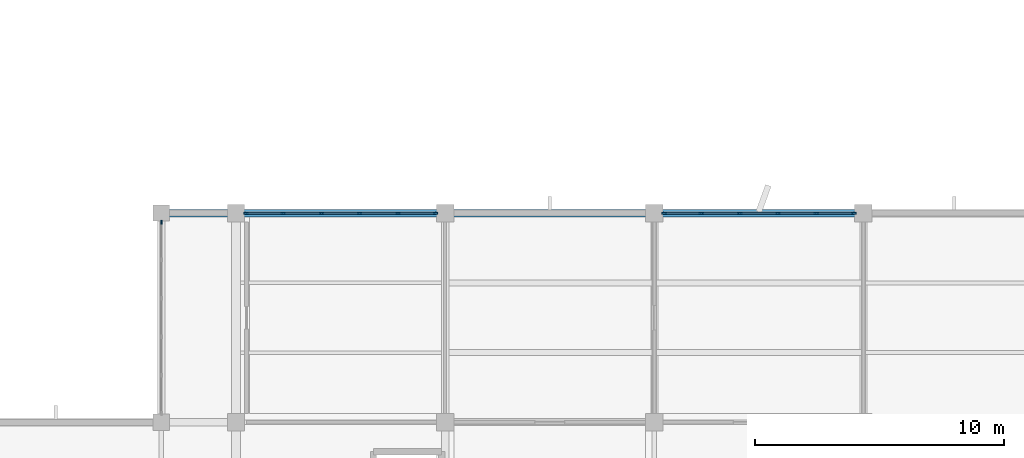
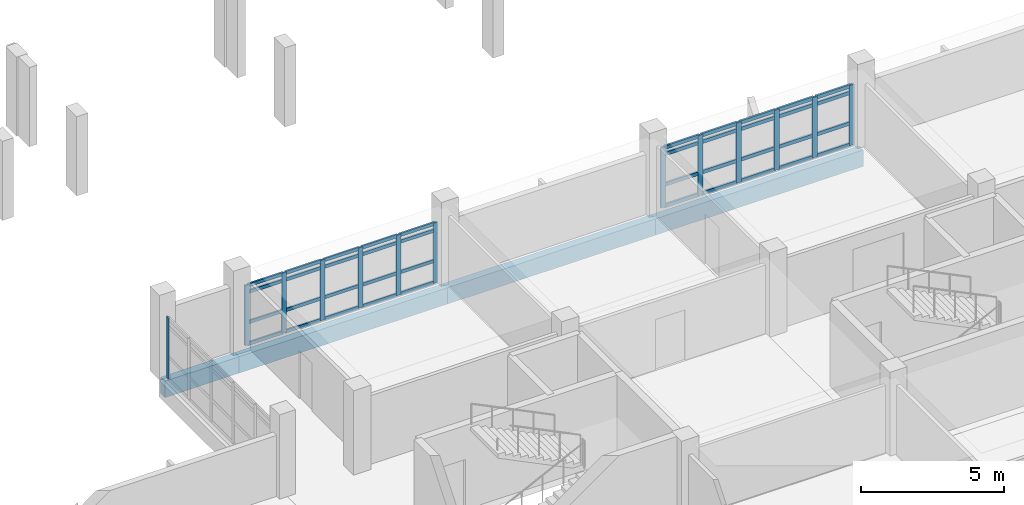
# One storey, part 43 of 104: 53 members, 4 beams, 3 elements without a shape of their own.
"""IFC4 building model written with IfcOpenShell, lengths in metres."""

from ifc_helpers import new_model, si_unit, direction, frame, origin, origin_2d, place, context, subcontext, project, spatial, rectangle, extrude, material, material_profile, profile_set, type_object, element, aggregate, save


model = new_model("IFC4")

# Units and contexts
model_context = context("Model", 3, precision=1e-05, world=origin(), true_north=direction((0.0, 1.0)))
body_context = subcontext(model_context, "Body", "Model", "MODEL_VIEW")
ifc_project = project(units=[si_unit("LENGTHUNIT", "METRE"), si_unit("AREAUNIT", "SQUARE_METRE"), si_unit("VOLUMEUNIT", "CUBIC_METRE"), si_unit("PLANEANGLEUNIT", "RADIAN"), si_unit("MASSUNIT", "GRAM", prefix="KILO")], contexts=[model_context])

# Site, building, storey
site_placement = place(None, origin())
site = spatial("IfcSite", under=ifc_project, at=site_placement, CompositionType="ELEMENT")
building_placement = place(site_placement, origin())
building = spatial("IfcBuilding", under=site, at=building_placement, Name="Vanh Quang Courtyard School", CompositionType="ELEMENT")
storey_placement = place(building_placement, frame((0.0, 0.0, 4.199951171875)))
storey = spatial("IfcBuildingStorey", under=building, at=storey_placement, Name="L01", CompositionType="ELEMENT", Elevation=4.199951171875)

# Beams
ifc_material_1 = material(Name="Concrete C35/45", Category="concrete")
ifc_material_profile_1 = material_profile(ifc_material_1, rectangle(XDim=0.300048828125, YDim=0.699951171875, at=origin_2d()), Name="RC-SP 300x700")
ifc_profile_set_1 = profile_set([ifc_material_profile_1], Name="Concrete C35/45")
beam_type = type_object("IfcBeamType", Name="BM-SP-300x700", PredefinedType="SPANDREL", material=ifc_profile_set_1)
beam_1_placement = place(storey_placement, frame((74.39990234375, 96.60009765625, -0.6298828125), z_axis=(1.0, 0.0, 0.0), x_axis=(0.0, 1.0, 0.0)))
element("IfcBeam", 1, at=beam_1_placement, inside=storey, type_object=beam_type, Name="Beam BS-01 (L01)", PredefinedType="SPANDREL", context=body_context, shape_type="SweptSolid", body=[
    extrude(rectangle(XDim=0.300048828125, YDim=0.699951171875, at=origin_2d()), origin(), (0.0, 0.0, 1.0), 3.0),
])
beam_2_placement = place(storey_placement, frame((77.39990234375, 96.60009765625, -0.6298828125), z_axis=(1.0, 0.0, 0.0), x_axis=(0.0, 1.0, 0.0)))
element("IfcBeam", 2, at=beam_2_placement, inside=storey, type_object=beam_type, Name="Beam BS-01 (L01)", PredefinedType="SPANDREL", context=body_context, shape_type="SweptSolid", body=[
    extrude(rectangle(XDim=0.300048828125, YDim=0.699951171875, at=origin_2d()), origin(), (0.0, 0.0, 1.0), 8.400146484375),
])
beam_3_placement = place(storey_placement, frame((85.800048828125, 96.60009765625, -0.6298828125), z_axis=(1.0, 0.0, 0.0), x_axis=(0.0, 1.0, 0.0)))
element("IfcBeam", 3, at=beam_3_placement, inside=storey, type_object=beam_type, Name="Beam BS-01 (L01)", PredefinedType="SPANDREL", context=body_context, shape_type="SweptSolid", body=[
    extrude(rectangle(XDim=0.300048828125, YDim=0.699951171875, at=origin_2d()), origin(), (0.0, 0.0, 1.0), 8.39990234375),
])
beam_4_placement = place(storey_placement, frame((94.199951171875, 96.60009765625, -0.6298828125), z_axis=(1.0, 0.0, 0.0), x_axis=(0.0, 1.0, 0.0)))
element("IfcBeam", 4, at=beam_4_placement, inside=storey, type_object=beam_type, Name="Beam BS-01 (L01)", PredefinedType="SPANDREL", context=body_context, shape_type="SweptSolid", body=[
    extrude(rectangle(XDim=0.300048828125, YDim=0.699951171875, at=origin_2d()), origin(), (0.0, 0.0, 1.0), 8.400146484375),
])

# Curtain wall, member
ifc_material_2 = material(Name="Thermally broken aluminium unitised curtain wall", Category="aluminium")
curtain_wall_type = type_object("IfcCurtainWallType", Name="CW-SYS-21", PredefinedType="NOTDEFINED", material=ifc_material_2)
curtain_wall_1_placement = place(storey_placement, origin())
curtain_wall_1 = element("IfcCurtainWall", 5, at=curtain_wall_1_placement, inside=storey, type_object=curtain_wall_type, Name="Curtain Wall CW-21 (L01)", PredefinedType="NOTDEFINED")
ifc_material_3 = material(Name="Anodised aluminium 6063-T6", Category="aluminium")
ifc_material_profile_2 = material_profile(ifc_material_3, rectangle(XDim=0.06005859375, YDim=0.159912109375, at=origin_2d()), Name="ALU-MUL 60x160")
ifc_profile_set_2 = profile_set([ifc_material_profile_2], Name="Anodised aluminium 6063-T6")
member_type_1 = type_object("IfcMemberType", Name="CW-MUL-60x160", PredefinedType="MULLION", material=ifc_profile_set_2)
member_1_placement = place(storey_placement, frame((74.39990234375, 96.237060546875, 0.0), z_axis=(0.0, 0.0, 1.0), x_axis=(-1.0, 0.0, 0.0)))
member_1 = element("IfcMember", 6, at=member_1_placement, type_object=member_type_1, Name="CW-21 mullion 6", PredefinedType="MULLION", context=body_context, shape_type="SweptSolid", body=[
    extrude(rectangle(XDim=0.06005859375, YDim=0.159912109375, at=origin_2d()), origin(), (0.0, 0.0, 1.0), 2.60009765625),
])
aggregate(curtain_wall_1, [member_1])

# Curtain wall, members
curtain_wall_2_placement = place(storey_placement, origin())
curtain_wall_2 = element("IfcCurtainWall", 7, at=curtain_wall_2_placement, inside=storey, type_object=curtain_wall_type, Name="Curtain Wall CW-21 (L01)", PredefinedType="NOTDEFINED")
ifc_material_profile_3 = material_profile(ifc_material_3, rectangle(XDim=0.070068359375, YDim=0.179931640625, at=origin_2d()), Name="ALU-MUL 70x180")
ifc_profile_set_3 = profile_set([ifc_material_profile_3], Name="Anodised aluminium 6063-T6")
member_type_2 = type_object("IfcMemberType", Name="CW-MUL-70x180", PredefinedType="MULLION", material=ifc_profile_set_3)
member_2_placement = place(storey_placement, frame((77.79296875, 96.60009765625, 0.0), z_axis=(0.0, 0.0, 1.0), x_axis=(0.0, 1.0, 0.0)))
member_2 = element("IfcMember", 8, at=member_2_placement, type_object=member_type_2, Name="CW-21 mullion 1", PredefinedType="MULLION", context=body_context, shape_type="SweptSolid", body=[
    extrude(rectangle(XDim=0.070068359375, YDim=0.179931640625, at=origin_2d()), origin(), (0.0, 0.0, 1.0), 2.570068359375),
])
member_3_placement = place(storey_placement, frame((79.294921875, 96.60009765625, 0.0), z_axis=(0.0, 0.0, 1.0), x_axis=(0.0, 1.0, 0.0)))
member_3 = element("IfcMember", 9, at=member_3_placement, type_object=member_type_2, Name="CW-21 mullion 2", PredefinedType="MULLION", context=body_context, shape_type="SweptSolid", body=[
    extrude(rectangle(XDim=0.070068359375, YDim=0.179931640625, at=origin_2d()), origin(), (0.0, 0.0, 1.0), 2.570068359375),
])
member_4_placement = place(storey_placement, frame((80.83154296875, 96.60009765625, 0.0), z_axis=(0.0, 0.0, 1.0), x_axis=(0.0, 1.0, 0.0)))
member_4 = element("IfcMember", 10, at=member_4_placement, type_object=member_type_2, Name="CW-21 mullion 3", PredefinedType="MULLION", context=body_context, shape_type="SweptSolid", body=[
    extrude(rectangle(XDim=0.070068359375, YDim=0.179931640625, at=origin_2d()), origin(), (0.0, 0.0, 1.0), 2.570068359375),
])
member_5_placement = place(storey_placement, frame((82.368408203125, 96.60009765625, 0.0), z_axis=(0.0, 0.0, 1.0), x_axis=(0.0, 1.0, 0.0)))
member_5 = element("IfcMember", 11, at=member_5_placement, type_object=member_type_2, Name="CW-21 mullion 4", PredefinedType="MULLION", context=body_context, shape_type="SweptSolid", body=[
    extrude(rectangle(XDim=0.070068359375, YDim=0.179931640625, at=origin_2d()), origin(), (0.0, 0.0, 1.0), 2.570068359375),
])
member_6_placement = place(storey_placement, frame((83.9052734375, 96.60009765625, 0.0), z_axis=(0.0, 0.0, 1.0), x_axis=(0.0, 1.0, 0.0)))
member_6 = element("IfcMember", 12, at=member_6_placement, type_object=member_type_2, Name="CW-21 mullion 5", PredefinedType="MULLION", context=body_context, shape_type="SweptSolid", body=[
    extrude(rectangle(XDim=0.070068359375, YDim=0.179931640625, at=origin_2d()), origin(), (0.0, 0.0, 1.0), 2.570068359375),
])
member_7_placement = place(storey_placement, frame((85.406982421875, 96.60009765625, 0.0), z_axis=(0.0, 0.0, 1.0), x_axis=(0.0, 1.0, 0.0)))
member_7 = element("IfcMember", 13, at=member_7_placement, type_object=member_type_2, Name="CW-21 mullion 6", PredefinedType="MULLION", context=body_context, shape_type="SweptSolid", body=[
    extrude(rectangle(XDim=0.070068359375, YDim=0.179931640625, at=origin_2d()), origin(), (0.0, 0.0, 1.0), 2.570068359375),
])

curtain_wall_3_placement = place(storey_placement, origin())
curtain_wall_3 = element("IfcCurtainWall", 14, at=curtain_wall_3_placement, inside=storey, type_object=curtain_wall_type, Name="Curtain Wall CW-21 (L01)", PredefinedType="NOTDEFINED")
ifc_material_profile_4 = material_profile(ifc_material_3, rectangle(XDim=0.080078125, YDim=0.199951171875, at=origin_2d()), Name="ALU-MUL 80x200")
ifc_profile_set_4 = profile_set([ifc_material_profile_4], Name="Anodised aluminium 6063-T6")
member_type_3 = type_object("IfcMemberType", Name="CW-MUL-80x200", PredefinedType="MULLION", material=ifc_profile_set_4)
member_8_placement = place(storey_placement, frame((94.597900390625, 96.60009765625, 0.0), z_axis=(0.0, 0.0, 1.0), x_axis=(0.0, 1.0, 0.0)))
member_8 = element("IfcMember", 15, at=member_8_placement, type_object=member_type_3, Name="CW-21 mullion 1", PredefinedType="MULLION", context=body_context, shape_type="SweptSolid", body=[
    extrude(rectangle(XDim=0.080078125, YDim=0.199951171875, at=origin_2d()), origin(), (0.0, 0.0, 1.0), 2.570068359375),
])
member_9_placement = place(storey_placement, frame((96.0947265625, 96.60009765625, 0.0), z_axis=(0.0, 0.0, 1.0), x_axis=(0.0, 1.0, 0.0)))
member_9 = element("IfcMember", 16, at=member_9_placement, type_object=member_type_3, Name="CW-21 mullion 2", PredefinedType="MULLION", context=body_context, shape_type="SweptSolid", body=[
    extrude(rectangle(XDim=0.080078125, YDim=0.199951171875, at=origin_2d()), origin(), (0.0, 0.0, 1.0), 2.570068359375),
])
member_10_placement = place(storey_placement, frame((97.631591796875, 96.60009765625, 0.0), z_axis=(0.0, 0.0, 1.0), x_axis=(0.0, 1.0, 0.0)))
member_10 = element("IfcMember", 17, at=member_10_placement, type_object=member_type_3, Name="CW-21 mullion 3", PredefinedType="MULLION", context=body_context, shape_type="SweptSolid", body=[
    extrude(rectangle(XDim=0.080078125, YDim=0.199951171875, at=origin_2d()), origin(), (0.0, 0.0, 1.0), 2.570068359375),
])
member_11_placement = place(storey_placement, frame((99.16845703125, 96.60009765625, 0.0), z_axis=(0.0, 0.0, 1.0), x_axis=(0.0, 1.0, 0.0)))
member_11 = element("IfcMember", 18, at=member_11_placement, type_object=member_type_3, Name="CW-21 mullion 4", PredefinedType="MULLION", context=body_context, shape_type="SweptSolid", body=[
    extrude(rectangle(XDim=0.080078125, YDim=0.199951171875, at=origin_2d()), origin(), (0.0, 0.0, 1.0), 2.570068359375),
])
member_12_placement = place(storey_placement, frame((100.705078125, 96.60009765625, 0.0), z_axis=(0.0, 0.0, 1.0), x_axis=(0.0, 1.0, 0.0)))
member_12 = element("IfcMember", 19, at=member_12_placement, type_object=member_type_3, Name="CW-21 mullion 5", PredefinedType="MULLION", context=body_context, shape_type="SweptSolid", body=[
    extrude(rectangle(XDim=0.080078125, YDim=0.199951171875, at=origin_2d()), origin(), (0.0, 0.0, 1.0), 2.570068359375),
])
member_13_placement = place(storey_placement, frame((102.201904296875, 96.60009765625, 0.0), z_axis=(0.0, 0.0, 1.0), x_axis=(0.0, 1.0, 0.0)))
member_13 = element("IfcMember", 20, at=member_13_placement, type_object=member_type_3, Name="CW-21 mullion 6", PredefinedType="MULLION", context=body_context, shape_type="SweptSolid", body=[
    extrude(rectangle(XDim=0.080078125, YDim=0.199951171875, at=origin_2d()), origin(), (0.0, 0.0, 1.0), 2.570068359375),
])

# Member
ifc_material_profile_5 = material_profile(ifc_material_3, rectangle(XDim=0.070068359375, YDim=0.139892578125, at=origin_2d()), Name="ALU-TRN 70x140")
ifc_profile_set_5 = profile_set([ifc_material_profile_5], Name="Anodised aluminium 6063-T6")
member_type_4 = type_object("IfcMemberType", Name="CW-TRN-70x140", PredefinedType="USERDEFINED", material=ifc_profile_set_5)
member_14_placement = place(storey_placement, frame((77.827880859375, 96.60009765625, 0.03515625), z_axis=(1.0, 0.0, 0.0), x_axis=(0.0, 1.0, 0.0)))
member_14 = element("IfcMember", 21, at=member_14_placement, type_object=member_type_4, Name="CW-21 transom 1.1", ObjectType="TRANSOM", PredefinedType="USERDEFINED", context=body_context, shape_type="SweptSolid", body=[
    extrude(rectangle(XDim=0.070068359375, YDim=0.139892578125, at=origin_2d()), origin(), (0.0, 0.0, 1.0), 1.431884765625),
])

member_15_placement = place(storey_placement, frame((77.827880859375, 96.60009765625, 0.949951171875), z_axis=(1.0, 0.0, 0.0), x_axis=(0.0, 1.0, 0.0)))
member_15 = element("IfcMember", 22, at=member_15_placement, type_object=member_type_4, Name="CW-21 transom 1.2", ObjectType="TRANSOM", PredefinedType="USERDEFINED", context=body_context, shape_type="SweptSolid", body=[
    extrude(rectangle(XDim=0.070068359375, YDim=0.139892578125, at=origin_2d()), origin(), (0.0, 0.0, 1.0), 1.431884765625),
])

member_16_placement = place(storey_placement, frame((77.827880859375, 96.60009765625, 2.25), z_axis=(1.0, 0.0, 0.0), x_axis=(0.0, 1.0, 0.0)))
member_16 = element("IfcMember", 23, at=member_16_placement, type_object=member_type_4, Name="CW-21 transom 1.3", ObjectType="TRANSOM", PredefinedType="USERDEFINED", context=body_context, shape_type="SweptSolid", body=[
    extrude(rectangle(XDim=0.070068359375, YDim=0.139892578125, at=origin_2d()), origin(), (0.0, 0.0, 1.0), 1.431884765625),
])

member_17_placement = place(storey_placement, frame((77.827880859375, 96.60009765625, 2.53515625), z_axis=(1.0, 0.0, 0.0), x_axis=(0.0, 1.0, 0.0)))
member_17 = element("IfcMember", 24, at=member_17_placement, type_object=member_type_4, Name="CW-21 transom 1.4", ObjectType="TRANSOM", PredefinedType="USERDEFINED", context=body_context, shape_type="SweptSolid", body=[
    extrude(rectangle(XDim=0.070068359375, YDim=0.139892578125, at=origin_2d()), origin(), (0.0, 0.0, 1.0), 1.431884765625),
])

member_18_placement = place(storey_placement, frame((79.329833984375, 96.60009765625, 0.03515625), z_axis=(1.0, 0.0, 0.0), x_axis=(0.0, 1.0, 0.0)))
member_18 = element("IfcMember", 25, at=member_18_placement, type_object=member_type_4, Name="CW-21 transom 2.1", ObjectType="TRANSOM", PredefinedType="USERDEFINED", context=body_context, shape_type="SweptSolid", body=[
    extrude(rectangle(XDim=0.070068359375, YDim=0.139892578125, at=origin_2d()), origin(), (0.0, 0.0, 1.0), 1.466796875),
])

member_19_placement = place(storey_placement, frame((79.329833984375, 96.60009765625, 0.949951171875), z_axis=(1.0, 0.0, 0.0), x_axis=(0.0, 1.0, 0.0)))
member_19 = element("IfcMember", 26, at=member_19_placement, type_object=member_type_4, Name="CW-21 transom 2.2", ObjectType="TRANSOM", PredefinedType="USERDEFINED", context=body_context, shape_type="SweptSolid", body=[
    extrude(rectangle(XDim=0.070068359375, YDim=0.139892578125, at=origin_2d()), origin(), (0.0, 0.0, 1.0), 1.466796875),
])

member_20_placement = place(storey_placement, frame((79.329833984375, 96.60009765625, 2.25), z_axis=(1.0, 0.0, 0.0), x_axis=(0.0, 1.0, 0.0)))
member_20 = element("IfcMember", 27, at=member_20_placement, type_object=member_type_4, Name="CW-21 transom 2.3", ObjectType="TRANSOM", PredefinedType="USERDEFINED", context=body_context, shape_type="SweptSolid", body=[
    extrude(rectangle(XDim=0.070068359375, YDim=0.139892578125, at=origin_2d()), origin(), (0.0, 0.0, 1.0), 1.466796875),
])

member_21_placement = place(storey_placement, frame((79.329833984375, 96.60009765625, 2.53515625), z_axis=(1.0, 0.0, 0.0), x_axis=(0.0, 1.0, 0.0)))
member_21 = element("IfcMember", 28, at=member_21_placement, type_object=member_type_4, Name="CW-21 transom 2.4", ObjectType="TRANSOM", PredefinedType="USERDEFINED", context=body_context, shape_type="SweptSolid", body=[
    extrude(rectangle(XDim=0.070068359375, YDim=0.139892578125, at=origin_2d()), origin(), (0.0, 0.0, 1.0), 1.466796875),
])

member_22_placement = place(storey_placement, frame((80.86669921875, 96.60009765625, 0.03515625), z_axis=(1.0, 0.0, 0.0), x_axis=(0.0, 1.0, 0.0)))
member_22 = element("IfcMember", 29, at=member_22_placement, type_object=member_type_4, Name="CW-21 transom 3.1", ObjectType="TRANSOM", PredefinedType="USERDEFINED", context=body_context, shape_type="SweptSolid", body=[
    extrude(rectangle(XDim=0.070068359375, YDim=0.139892578125, at=origin_2d()), origin(), (0.0, 0.0, 1.0), 1.466796875),
])

member_23_placement = place(storey_placement, frame((80.86669921875, 96.60009765625, 0.949951171875), z_axis=(1.0, 0.0, 0.0), x_axis=(0.0, 1.0, 0.0)))
member_23 = element("IfcMember", 30, at=member_23_placement, type_object=member_type_4, Name="CW-21 transom 3.2", ObjectType="TRANSOM", PredefinedType="USERDEFINED", context=body_context, shape_type="SweptSolid", body=[
    extrude(rectangle(XDim=0.070068359375, YDim=0.139892578125, at=origin_2d()), origin(), (0.0, 0.0, 1.0), 1.466796875),
])

member_24_placement = place(storey_placement, frame((80.86669921875, 96.60009765625, 2.25), z_axis=(1.0, 0.0, 0.0), x_axis=(0.0, 1.0, 0.0)))
member_24 = element("IfcMember", 31, at=member_24_placement, type_object=member_type_4, Name="CW-21 transom 3.3", ObjectType="TRANSOM", PredefinedType="USERDEFINED", context=body_context, shape_type="SweptSolid", body=[
    extrude(rectangle(XDim=0.070068359375, YDim=0.139892578125, at=origin_2d()), origin(), (0.0, 0.0, 1.0), 1.466796875),
])

member_25_placement = place(storey_placement, frame((80.86669921875, 96.60009765625, 2.53515625), z_axis=(1.0, 0.0, 0.0), x_axis=(0.0, 1.0, 0.0)))
member_25 = element("IfcMember", 32, at=member_25_placement, type_object=member_type_4, Name="CW-21 transom 3.4", ObjectType="TRANSOM", PredefinedType="USERDEFINED", context=body_context, shape_type="SweptSolid", body=[
    extrude(rectangle(XDim=0.070068359375, YDim=0.139892578125, at=origin_2d()), origin(), (0.0, 0.0, 1.0), 1.466796875),
])

member_26_placement = place(storey_placement, frame((82.4033203125, 96.60009765625, 0.03515625), z_axis=(1.0, 0.0, 0.0), x_axis=(0.0, 1.0, 0.0)))
member_26 = element("IfcMember", 33, at=member_26_placement, type_object=member_type_4, Name="CW-21 transom 4.1", ObjectType="TRANSOM", PredefinedType="USERDEFINED", context=body_context, shape_type="SweptSolid", body=[
    extrude(rectangle(XDim=0.070068359375, YDim=0.139892578125, at=origin_2d()), origin(), (0.0, 0.0, 1.0), 1.466796875),
])

member_27_placement = place(storey_placement, frame((82.4033203125, 96.60009765625, 0.949951171875), z_axis=(1.0, 0.0, 0.0), x_axis=(0.0, 1.0, 0.0)))
member_27 = element("IfcMember", 34, at=member_27_placement, type_object=member_type_4, Name="CW-21 transom 4.2", ObjectType="TRANSOM", PredefinedType="USERDEFINED", context=body_context, shape_type="SweptSolid", body=[
    extrude(rectangle(XDim=0.070068359375, YDim=0.139892578125, at=origin_2d()), origin(), (0.0, 0.0, 1.0), 1.466796875),
])

member_28_placement = place(storey_placement, frame((82.4033203125, 96.60009765625, 2.25), z_axis=(1.0, 0.0, 0.0), x_axis=(0.0, 1.0, 0.0)))
member_28 = element("IfcMember", 35, at=member_28_placement, type_object=member_type_4, Name="CW-21 transom 4.3", ObjectType="TRANSOM", PredefinedType="USERDEFINED", context=body_context, shape_type="SweptSolid", body=[
    extrude(rectangle(XDim=0.070068359375, YDim=0.139892578125, at=origin_2d()), origin(), (0.0, 0.0, 1.0), 1.466796875),
])

member_29_placement = place(storey_placement, frame((82.4033203125, 96.60009765625, 2.53515625), z_axis=(1.0, 0.0, 0.0), x_axis=(0.0, 1.0, 0.0)))
member_29 = element("IfcMember", 36, at=member_29_placement, type_object=member_type_4, Name="CW-21 transom 4.4", ObjectType="TRANSOM", PredefinedType="USERDEFINED", context=body_context, shape_type="SweptSolid", body=[
    extrude(rectangle(XDim=0.070068359375, YDim=0.139892578125, at=origin_2d()), origin(), (0.0, 0.0, 1.0), 1.466796875),
])

member_30_placement = place(storey_placement, frame((83.940185546875, 96.60009765625, 0.03515625), z_axis=(1.0, 0.0, 0.0), x_axis=(0.0, 1.0, 0.0)))
member_30 = element("IfcMember", 37, at=member_30_placement, type_object=member_type_4, Name="CW-21 transom 5.1", ObjectType="TRANSOM", PredefinedType="USERDEFINED", context=body_context, shape_type="SweptSolid", body=[
    extrude(rectangle(XDim=0.070068359375, YDim=0.139892578125, at=origin_2d()), origin(), (0.0, 0.0, 1.0), 1.431884765625),
])

member_31_placement = place(storey_placement, frame((83.940185546875, 96.60009765625, 0.949951171875), z_axis=(1.0, 0.0, 0.0), x_axis=(0.0, 1.0, 0.0)))
member_31 = element("IfcMember", 38, at=member_31_placement, type_object=member_type_4, Name="CW-21 transom 5.2", ObjectType="TRANSOM", PredefinedType="USERDEFINED", context=body_context, shape_type="SweptSolid", body=[
    extrude(rectangle(XDim=0.070068359375, YDim=0.139892578125, at=origin_2d()), origin(), (0.0, 0.0, 1.0), 1.431884765625),
])

member_32_placement = place(storey_placement, frame((83.940185546875, 96.60009765625, 2.25), z_axis=(1.0, 0.0, 0.0), x_axis=(0.0, 1.0, 0.0)))
member_32 = element("IfcMember", 39, at=member_32_placement, type_object=member_type_4, Name="CW-21 transom 5.3", ObjectType="TRANSOM", PredefinedType="USERDEFINED", context=body_context, shape_type="SweptSolid", body=[
    extrude(rectangle(XDim=0.070068359375, YDim=0.139892578125, at=origin_2d()), origin(), (0.0, 0.0, 1.0), 1.431884765625),
])

member_33_placement = place(storey_placement, frame((83.940185546875, 96.60009765625, 2.53515625), z_axis=(1.0, 0.0, 0.0), x_axis=(0.0, 1.0, 0.0)))
member_33 = element("IfcMember", 40, at=member_33_placement, type_object=member_type_4, Name="CW-21 transom 5.4", ObjectType="TRANSOM", PredefinedType="USERDEFINED", context=body_context, shape_type="SweptSolid", body=[
    extrude(rectangle(XDim=0.070068359375, YDim=0.139892578125, at=origin_2d()), origin(), (0.0, 0.0, 1.0), 1.431884765625),
])

aggregate(curtain_wall_2, [member_2, member_3, member_4, member_5, member_6, member_7, member_14, member_15, member_16, member_17, member_18, member_19, member_20, member_21, member_22, member_23, member_24, member_25, member_26, member_27, member_28, member_29, member_30, member_31, member_32, member_33])

ifc_material_profile_6 = material_profile(ifc_material_3, rectangle(XDim=0.080078125, YDim=0.14990234375, at=origin_2d()), Name="ALU-TRN 80x150")
ifc_profile_set_6 = profile_set([ifc_material_profile_6], Name="Anodised aluminium 6063-T6")
member_type_5 = type_object("IfcMemberType", Name="CW-TRN-80x150", PredefinedType="USERDEFINED", material=ifc_profile_set_6)
member_34_placement = place(storey_placement, frame((94.637939453125, 96.60009765625, 0.0400390625), z_axis=(1.0, 0.0, 0.0), x_axis=(0.0, 1.0, 0.0)))
member_34 = element("IfcMember", 41, at=member_34_placement, type_object=member_type_5, Name="CW-21 transom 1.1", ObjectType="TRANSOM", PredefinedType="USERDEFINED", context=body_context, shape_type="SweptSolid", body=[
    extrude(rectangle(XDim=0.080078125, YDim=0.14990234375, at=origin_2d()), origin(), (0.0, 0.0, 1.0), 1.416748046875),
])

member_35_placement = place(storey_placement, frame((94.637939453125, 96.60009765625, 0.949951171875), z_axis=(1.0, 0.0, 0.0), x_axis=(0.0, 1.0, 0.0)))
member_35 = element("IfcMember", 42, at=member_35_placement, type_object=member_type_5, Name="CW-21 transom 1.2", ObjectType="TRANSOM", PredefinedType="USERDEFINED", context=body_context, shape_type="SweptSolid", body=[
    extrude(rectangle(XDim=0.080078125, YDim=0.14990234375, at=origin_2d()), origin(), (0.0, 0.0, 1.0), 1.416748046875),
])

member_36_placement = place(storey_placement, frame((94.637939453125, 96.60009765625, 2.25), z_axis=(1.0, 0.0, 0.0), x_axis=(0.0, 1.0, 0.0)))
member_36 = element("IfcMember", 43, at=member_36_placement, type_object=member_type_5, Name="CW-21 transom 1.3", ObjectType="TRANSOM", PredefinedType="USERDEFINED", context=body_context, shape_type="SweptSolid", body=[
    extrude(rectangle(XDim=0.080078125, YDim=0.14990234375, at=origin_2d()), origin(), (0.0, 0.0, 1.0), 1.416748046875),
])

member_37_placement = place(storey_placement, frame((94.637939453125, 96.60009765625, 2.530029296875), z_axis=(1.0, 0.0, 0.0), x_axis=(0.0, 1.0, 0.0)))
member_37 = element("IfcMember", 44, at=member_37_placement, type_object=member_type_5, Name="CW-21 transom 1.4", ObjectType="TRANSOM", PredefinedType="USERDEFINED", context=body_context, shape_type="SweptSolid", body=[
    extrude(rectangle(XDim=0.080078125, YDim=0.14990234375, at=origin_2d()), origin(), (0.0, 0.0, 1.0), 1.416748046875),
])

member_38_placement = place(storey_placement, frame((96.134765625, 96.60009765625, 0.0400390625), z_axis=(1.0, 0.0, 0.0), x_axis=(0.0, 1.0, 0.0)))
member_38 = element("IfcMember", 45, at=member_38_placement, type_object=member_type_5, Name="CW-21 transom 2.1", ObjectType="TRANSOM", PredefinedType="USERDEFINED", context=body_context, shape_type="SweptSolid", body=[
    extrude(rectangle(XDim=0.080078125, YDim=0.14990234375, at=origin_2d()), origin(), (0.0, 0.0, 1.0), 1.456787109375),
])

member_39_placement = place(storey_placement, frame((96.134765625, 96.60009765625, 0.949951171875), z_axis=(1.0, 0.0, 0.0), x_axis=(0.0, 1.0, 0.0)))
member_39 = element("IfcMember", 46, at=member_39_placement, type_object=member_type_5, Name="CW-21 transom 2.2", ObjectType="TRANSOM", PredefinedType="USERDEFINED", context=body_context, shape_type="SweptSolid", body=[
    extrude(rectangle(XDim=0.080078125, YDim=0.14990234375, at=origin_2d()), origin(), (0.0, 0.0, 1.0), 1.456787109375),
])

member_40_placement = place(storey_placement, frame((96.134765625, 96.60009765625, 2.25), z_axis=(1.0, 0.0, 0.0), x_axis=(0.0, 1.0, 0.0)))
member_40 = element("IfcMember", 47, at=member_40_placement, type_object=member_type_5, Name="CW-21 transom 2.3", ObjectType="TRANSOM", PredefinedType="USERDEFINED", context=body_context, shape_type="SweptSolid", body=[
    extrude(rectangle(XDim=0.080078125, YDim=0.14990234375, at=origin_2d()), origin(), (0.0, 0.0, 1.0), 1.456787109375),
])

member_41_placement = place(storey_placement, frame((96.134765625, 96.60009765625, 2.530029296875), z_axis=(1.0, 0.0, 0.0), x_axis=(0.0, 1.0, 0.0)))
member_41 = element("IfcMember", 48, at=member_41_placement, type_object=member_type_5, Name="CW-21 transom 2.4", ObjectType="TRANSOM", PredefinedType="USERDEFINED", context=body_context, shape_type="SweptSolid", body=[
    extrude(rectangle(XDim=0.080078125, YDim=0.14990234375, at=origin_2d()), origin(), (0.0, 0.0, 1.0), 1.456787109375),
])

member_42_placement = place(storey_placement, frame((97.671630859375, 96.60009765625, 0.0400390625), z_axis=(1.0, 0.0, 0.0), x_axis=(0.0, 1.0, 0.0)))
member_42 = element("IfcMember", 49, at=member_42_placement, type_object=member_type_5, Name="CW-21 transom 3.1", ObjectType="TRANSOM", PredefinedType="USERDEFINED", context=body_context, shape_type="SweptSolid", body=[
    extrude(rectangle(XDim=0.080078125, YDim=0.14990234375, at=origin_2d()), origin(), (0.0, 0.0, 1.0), 1.456787109375),
])

member_43_placement = place(storey_placement, frame((97.671630859375, 96.60009765625, 0.949951171875), z_axis=(1.0, 0.0, 0.0), x_axis=(0.0, 1.0, 0.0)))
member_43 = element("IfcMember", 50, at=member_43_placement, type_object=member_type_5, Name="CW-21 transom 3.2", ObjectType="TRANSOM", PredefinedType="USERDEFINED", context=body_context, shape_type="SweptSolid", body=[
    extrude(rectangle(XDim=0.080078125, YDim=0.14990234375, at=origin_2d()), origin(), (0.0, 0.0, 1.0), 1.456787109375),
])

member_44_placement = place(storey_placement, frame((97.671630859375, 96.60009765625, 2.25), z_axis=(1.0, 0.0, 0.0), x_axis=(0.0, 1.0, 0.0)))
member_44 = element("IfcMember", 51, at=member_44_placement, type_object=member_type_5, Name="CW-21 transom 3.3", ObjectType="TRANSOM", PredefinedType="USERDEFINED", context=body_context, shape_type="SweptSolid", body=[
    extrude(rectangle(XDim=0.080078125, YDim=0.14990234375, at=origin_2d()), origin(), (0.0, 0.0, 1.0), 1.456787109375),
])

member_45_placement = place(storey_placement, frame((97.671630859375, 96.60009765625, 2.530029296875), z_axis=(1.0, 0.0, 0.0), x_axis=(0.0, 1.0, 0.0)))
member_45 = element("IfcMember", 52, at=member_45_placement, type_object=member_type_5, Name="CW-21 transom 3.4", ObjectType="TRANSOM", PredefinedType="USERDEFINED", context=body_context, shape_type="SweptSolid", body=[
    extrude(rectangle(XDim=0.080078125, YDim=0.14990234375, at=origin_2d()), origin(), (0.0, 0.0, 1.0), 1.456787109375),
])

member_46_placement = place(storey_placement, frame((99.20849609375, 96.60009765625, 0.0400390625), z_axis=(1.0, 0.0, 0.0), x_axis=(0.0, 1.0, 0.0)))
member_46 = element("IfcMember", 53, at=member_46_placement, type_object=member_type_5, Name="CW-21 transom 4.1", ObjectType="TRANSOM", PredefinedType="USERDEFINED", context=body_context, shape_type="SweptSolid", body=[
    extrude(rectangle(XDim=0.080078125, YDim=0.14990234375, at=origin_2d()), origin(), (0.0, 0.0, 1.0), 1.456787109375),
])

member_47_placement = place(storey_placement, frame((99.20849609375, 96.60009765625, 0.949951171875), z_axis=(1.0, 0.0, 0.0), x_axis=(0.0, 1.0, 0.0)))
member_47 = element("IfcMember", 54, at=member_47_placement, type_object=member_type_5, Name="CW-21 transom 4.2", ObjectType="TRANSOM", PredefinedType="USERDEFINED", context=body_context, shape_type="SweptSolid", body=[
    extrude(rectangle(XDim=0.080078125, YDim=0.14990234375, at=origin_2d()), origin(), (0.0, 0.0, 1.0), 1.456787109375),
])

member_48_placement = place(storey_placement, frame((99.20849609375, 96.60009765625, 2.25), z_axis=(1.0, 0.0, 0.0), x_axis=(0.0, 1.0, 0.0)))
member_48 = element("IfcMember", 55, at=member_48_placement, type_object=member_type_5, Name="CW-21 transom 4.3", ObjectType="TRANSOM", PredefinedType="USERDEFINED", context=body_context, shape_type="SweptSolid", body=[
    extrude(rectangle(XDim=0.080078125, YDim=0.14990234375, at=origin_2d()), origin(), (0.0, 0.0, 1.0), 1.456787109375),
])

member_49_placement = place(storey_placement, frame((99.20849609375, 96.60009765625, 2.530029296875), z_axis=(1.0, 0.0, 0.0), x_axis=(0.0, 1.0, 0.0)))
member_49 = element("IfcMember", 56, at=member_49_placement, type_object=member_type_5, Name="CW-21 transom 4.4", ObjectType="TRANSOM", PredefinedType="USERDEFINED", context=body_context, shape_type="SweptSolid", body=[
    extrude(rectangle(XDim=0.080078125, YDim=0.14990234375, at=origin_2d()), origin(), (0.0, 0.0, 1.0), 1.456787109375),
])

member_50_placement = place(storey_placement, frame((100.7451171875, 96.60009765625, 0.0400390625), z_axis=(1.0, 0.0, 0.0), x_axis=(0.0, 1.0, 0.0)))
member_50 = element("IfcMember", 57, at=member_50_placement, type_object=member_type_5, Name="CW-21 transom 5.1", ObjectType="TRANSOM", PredefinedType="USERDEFINED", context=body_context, shape_type="SweptSolid", body=[
    extrude(rectangle(XDim=0.080078125, YDim=0.14990234375, at=origin_2d()), origin(), (0.0, 0.0, 1.0), 1.4169921875),
])

member_51_placement = place(storey_placement, frame((100.7451171875, 96.60009765625, 0.949951171875), z_axis=(1.0, 0.0, 0.0), x_axis=(0.0, 1.0, 0.0)))
member_51 = element("IfcMember", 58, at=member_51_placement, type_object=member_type_5, Name="CW-21 transom 5.2", ObjectType="TRANSOM", PredefinedType="USERDEFINED", context=body_context, shape_type="SweptSolid", body=[
    extrude(rectangle(XDim=0.080078125, YDim=0.14990234375, at=origin_2d()), origin(), (0.0, 0.0, 1.0), 1.4169921875),
])

member_52_placement = place(storey_placement, frame((100.7451171875, 96.60009765625, 2.25), z_axis=(1.0, 0.0, 0.0), x_axis=(0.0, 1.0, 0.0)))
member_52 = element("IfcMember", 59, at=member_52_placement, type_object=member_type_5, Name="CW-21 transom 5.3", ObjectType="TRANSOM", PredefinedType="USERDEFINED", context=body_context, shape_type="SweptSolid", body=[
    extrude(rectangle(XDim=0.080078125, YDim=0.14990234375, at=origin_2d()), origin(), (0.0, 0.0, 1.0), 1.4169921875),
])

member_53_placement = place(storey_placement, frame((100.7451171875, 96.60009765625, 2.530029296875), z_axis=(1.0, 0.0, 0.0), x_axis=(0.0, 1.0, 0.0)))
member_53 = element("IfcMember", 60, at=member_53_placement, type_object=member_type_5, Name="CW-21 transom 5.4", ObjectType="TRANSOM", PredefinedType="USERDEFINED", context=body_context, shape_type="SweptSolid", body=[
    extrude(rectangle(XDim=0.080078125, YDim=0.14990234375, at=origin_2d()), origin(), (0.0, 0.0, 1.0), 1.4169921875),
])

aggregate(curtain_wall_3, [member_8, member_9, member_10, member_11, member_12, member_13, member_34, member_35, member_36, member_37, member_38, member_39, member_40, member_41, member_42, member_43, member_44, member_45, member_46, member_47, member_48, member_49, member_50, member_51, member_52, member_53])

save(model, "model.ifc")
